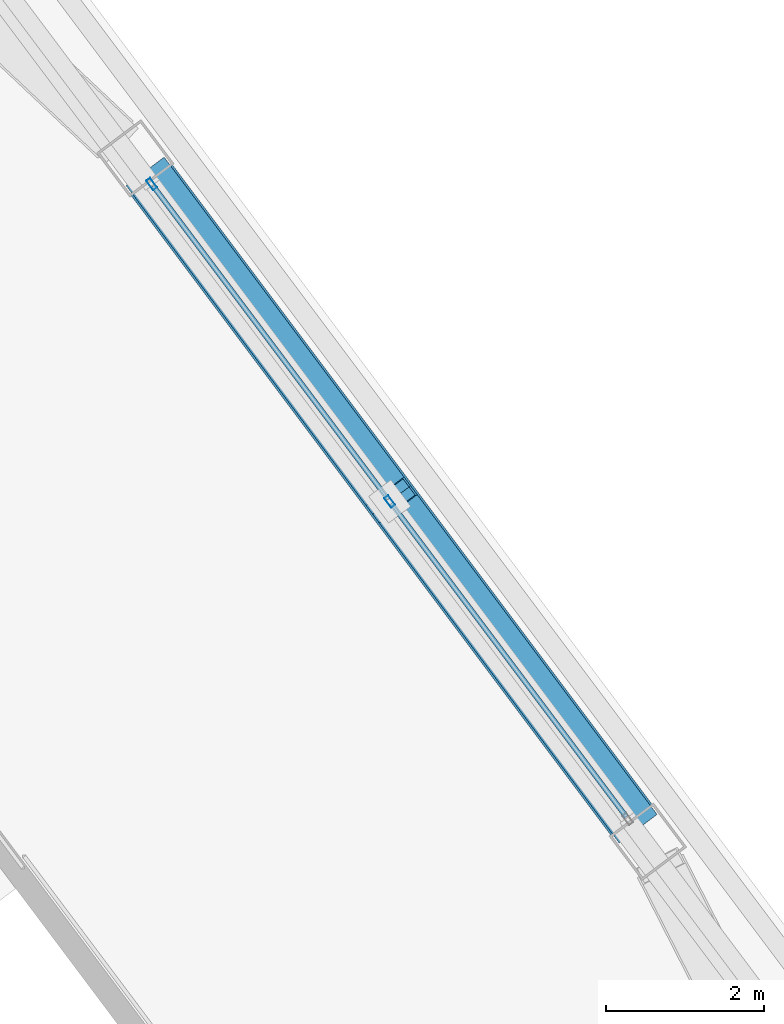
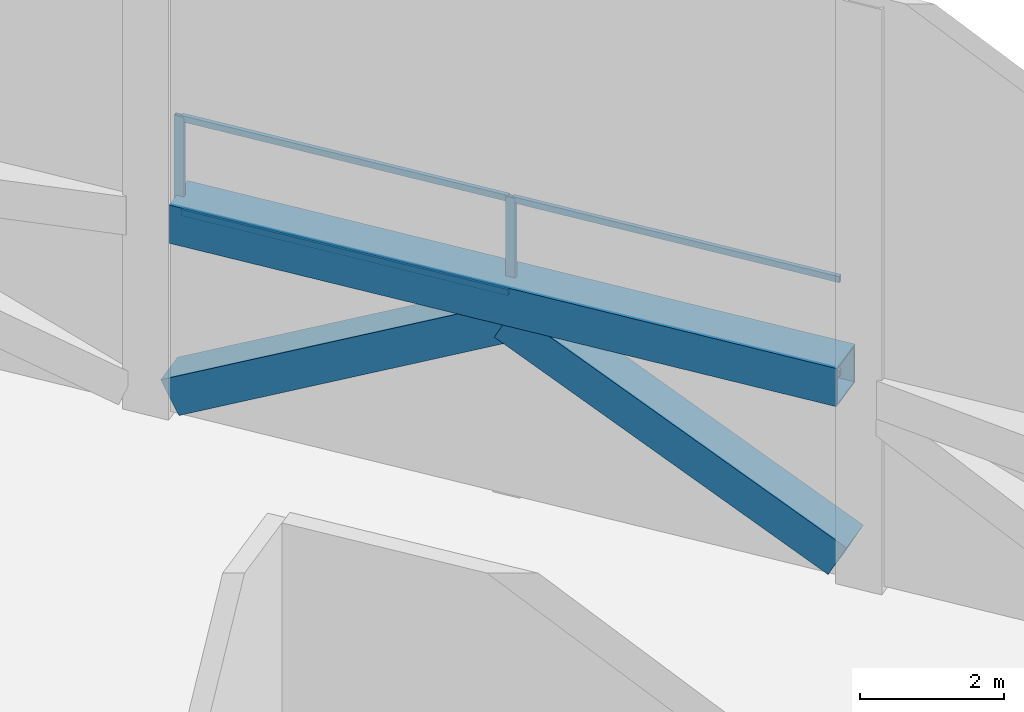
# One storey, part 23 of 37: 8 members, 1 beam, 1 element without a shape of its own.
"""IFC4 building model written with IfcOpenShell, lengths in metres."""

from ifc_helpers import new_model, si_unit, direction, frame, origin, origin_2d, place, context, subcontext, project, spatial, hollow_rectangle, extrude, material, material_profile, profile_set, type_object, element, aggregate, save


model = new_model("IFC4")

# Units and contexts
model_context = context("Model", 3, precision=1e-05, world=origin(), true_north=direction((0.0, 1.0)))
body_context = subcontext(model_context, "Body", "Model", "MODEL_VIEW")
ifc_project = project(units=[si_unit("LENGTHUNIT", "METRE"), si_unit("AREAUNIT", "SQUARE_METRE"), si_unit("VOLUMEUNIT", "CUBIC_METRE"), si_unit("PLANEANGLEUNIT", "RADIAN"), si_unit("MASSUNIT", "GRAM", prefix="KILO")], contexts=[model_context])

# Site, building, storey
site_placement = place(None, origin())
site = spatial("IfcSite", under=ifc_project, at=site_placement, CompositionType="ELEMENT")
building_placement = place(site_placement, origin())
building = spatial("IfcBuilding", under=site, at=building_placement, Name="Tashvorn Skyway Center", CompositionType="ELEMENT")
storey_placement = place(building_placement, frame((0.0, 0.0, 263.39990234375)))
storey = spatial("IfcBuildingStorey", under=building, at=storey_placement, Name="L71", CompositionType="ELEMENT", Elevation=263.39990234375)

# Beam
ifc_material_1 = material(Name="Steel ASTM A572 Grade 50", Category="steel")
ifc_material_profile_1 = material_profile(ifc_material_1, hollow_rectangle(XDim=0.64990234375, YDim=0.64990234375, WallThickness=0.02490234375, at=origin_2d()), Name="BOX650x650x25")
ifc_profile_set_1 = profile_set([ifc_material_profile_1], Name="Steel ASTM A572 Grade 50")
beam_type = type_object("IfcBeamType", Name="BM-BEAM-BOX650x650x25", PredefinedType="BEAM", material=ifc_profile_set_1)
beam_placement = place(storey_placement, frame((128.113037109375, 36.26611328125, 3.316650390625), z_axis=(-0.6, 0.8, 0.0), x_axis=(-0.8, -0.6, 0.0)))
element("IfcBeam", 1, at=beam_placement, inside=storey, type_object=beam_type, Name="CROWN FRAME Tower 2 Lower-Tier Ring Beam 05", PredefinedType="BEAM", context=body_context, shape_type="SweptSolid", body=[
    extrude(hollow_rectangle(XDim=0.64990234375, YDim=0.64990234375, WallThickness=0.02490234375, at=origin_2d()), origin(), (0.0, 0.0, 1.0), 10.10986328125),
])

# Curtain wall, members
ifc_material_2 = material(Name="Thermally broken bronze-anodized aluminium 6063-T6", Category="aluminium")
curtain_wall_type = type_object("IfcCurtainWallType", Name="CW-CW-SKY", PredefinedType="NOTDEFINED", material=ifc_material_2)
curtain_wall_placement = place(storey_placement, origin())
curtain_wall = element("IfcCurtainWall", 2, at=curtain_wall_placement, inside=storey, type_object=curtain_wall_type, Name="CROWN Lantern Fritted Curtain Wall T2 E-3", PredefinedType="NOTDEFINED")
ifc_material_profile_2 = material_profile(ifc_material_2, hollow_rectangle(XDim=0.06494140625, YDim=0.14990234375, WallThickness=0.00390625, at=origin_2d()), Name="ALU-MULL-65x150")
ifc_profile_set_2 = profile_set([ifc_material_profile_2], Name="Thermally broken bronze-anodized aluminium 6063-T6")
member_type_1 = type_object("IfcMemberType", Name="CWM-CW-SKY", PredefinedType="MULLION", material=ifc_profile_set_2)
member_1_placement = place(storey_placement, frame((122.04541015625, 44.305908203125, 3.330078125), z_axis=(0.0, 0.0, 1.0), x_axis=(0.799999999998, 0.600000000002, 0.0)))
member_1 = element("IfcMember", 3, at=member_1_placement, type_object=member_type_1, Name="CW-SKY mullion 1", PredefinedType="MULLION", context=body_context, shape_type="SweptSolid", body=[
    extrude(hollow_rectangle(XDim=0.06494140625, YDim=0.14990234375, WallThickness=0.00390625, at=origin_2d()), origin(), (0.0, 0.0, 1.0), 1.6650390625),
])
member_2_placement = place(storey_placement, frame((125.055908203125, 40.2919921875, 3.330078125), z_axis=(0.0, 0.0, 1.0), x_axis=(0.799999999998, 0.600000000002, 0.0)))
member_2 = element("IfcMember", 4, at=member_2_placement, type_object=member_type_1, Name="CW-SKY mullion 2", PredefinedType="MULLION", context=body_context, shape_type="SweptSolid", body=[
    extrude(hollow_rectangle(XDim=0.06494140625, YDim=0.14990234375, WallThickness=0.00390625, at=origin_2d()), origin(), (0.0, 0.0, 1.0), 1.6650390625),
])
ifc_material_profile_3 = material_profile(ifc_material_2, hollow_rectangle(XDim=0.06494140625, YDim=0.10498046875, WallThickness=0.00390625, at=origin_2d()), Name="ALU-TRAN-65x105")
ifc_profile_set_3 = profile_set([ifc_material_profile_3], Name="Thermally broken bronze-anodized aluminium 6063-T6")
member_type_2 = type_object("IfcMemberType", Name="CWT-CW-SKY", PredefinedType="USERDEFINED", material=ifc_profile_set_3)
member_3_placement = place(storey_placement, frame((122.06494140625, 44.280029296875, 3.362548828125), z_axis=(0.600031549007, -0.799976337273, 0.0), x_axis=(0.799976337273, 0.600031549007, 0.0)))
member_3 = element("IfcMember", 5, at=member_3_placement, type_object=member_type_2, Name="CW-SKY transom 1.1", ObjectType="TRANSOM", PredefinedType="USERDEFINED", context=body_context, shape_type="SweptSolid", body=[
    extrude(hollow_rectangle(XDim=0.06494140625, YDim=0.10498046875, WallThickness=0.00390625, at=origin_2d()), origin(), (0.0, 0.0, 1.0), 4.95263671875),
])
member_4_placement = place(storey_placement, frame((122.06494140625, 44.280029296875, 4.962646484375), z_axis=(0.600031549007, -0.799976337273, 0.0), x_axis=(0.799976337273, 0.600031549007, 0.0)))
member_4 = element("IfcMember", 6, at=member_4_placement, type_object=member_type_2, Name="CW-SKY transom 1.2", ObjectType="TRANSOM", PredefinedType="USERDEFINED", context=body_context, shape_type="SweptSolid", body=[
    extrude(hollow_rectangle(XDim=0.06494140625, YDim=0.10498046875, WallThickness=0.00390625, at=origin_2d()), origin(), (0.0, 0.0, 1.0), 4.95263671875),
])
member_5_placement = place(storey_placement, frame((125.075439453125, 40.26611328125, 3.362548828125), z_axis=(0.600007887028, -0.799994084668, 0.0), x_axis=(0.799994084668, 0.600007887028, 0.0)))
member_5 = element("IfcMember", 7, at=member_5_placement, type_object=member_type_2, Name="CW-SKY transom 2.1", ObjectType="TRANSOM", PredefinedType="USERDEFINED", context=body_context, shape_type="SweptSolid", body=[
    extrude(hollow_rectangle(XDim=0.06494140625, YDim=0.10498046875, WallThickness=0.00390625, at=origin_2d()), origin(), (0.0, 0.0, 1.0), 4.95263671875),
])
member_6_placement = place(storey_placement, frame((125.075439453125, 40.26611328125, 4.962646484375), z_axis=(0.600007887028, -0.799994084668, 0.0), x_axis=(0.799994084668, 0.600007887028, 0.0)))
member_6 = element("IfcMember", 8, at=member_6_placement, type_object=member_type_2, Name="CW-SKY transom 2.2", ObjectType="TRANSOM", PredefinedType="USERDEFINED", context=body_context, shape_type="SweptSolid", body=[
    extrude(hollow_rectangle(XDim=0.06494140625, YDim=0.10498046875, WallThickness=0.00390625, at=origin_2d()), origin(), (0.0, 0.0, 1.0), 4.95263671875),
])
aggregate(curtain_wall, [member_1, member_2, member_3, member_4, member_5, member_6])

# Members
ifc_material_profile_4 = material_profile(ifc_material_1, hollow_rectangle(XDim=0.60009765625, YDim=0.60009765625, WallThickness=0.02490234375, at=origin_2d()), Name="BOX600x600x25")
ifc_profile_set_4 = profile_set([ifc_material_profile_4], Name="Steel ASTM A572 Grade 50")
member_type_3 = type_object("IfcMemberType", Name="MEM-CF-BRC-600", PredefinedType="BRACE", material=ifc_profile_set_4)
for number, where, z_axis, x_axis, name in (
    (9, (128.113037109375, 36.26611328125, 0.35009765625), (-0.531546147001, 0.708728196001, 0.463856699641), (-0.8, -0.6, 0.0), "CROWN FRAME Tower 2 Tier-1 Chevron Brace 05A"),
    (10, (122.047119140625, 44.35400390625, 0.35009765625), (0.531546147001, -0.708728196001, 0.463856699641), (0.8, 0.6, 0.0), "CROWN FRAME Tower 2 Tier-1 Chevron Brace 05B"),
):
    element("IfcMember", number, at=place(storey_placement, frame(where, z_axis=z_axis, x_axis=x_axis)), inside=storey, type_object=member_type_3, Name=name, PredefinedType="BRACE", context=body_context, shape_type="SweptSolid", body=[
        extrude(hollow_rectangle(XDim=0.60009765625, YDim=0.60009765625, WallThickness=0.02490234375, at=origin_2d()), origin(), (0.0, 0.0, 1.0), 5.705810546875),
    ])

save(model, "model.ifc")
